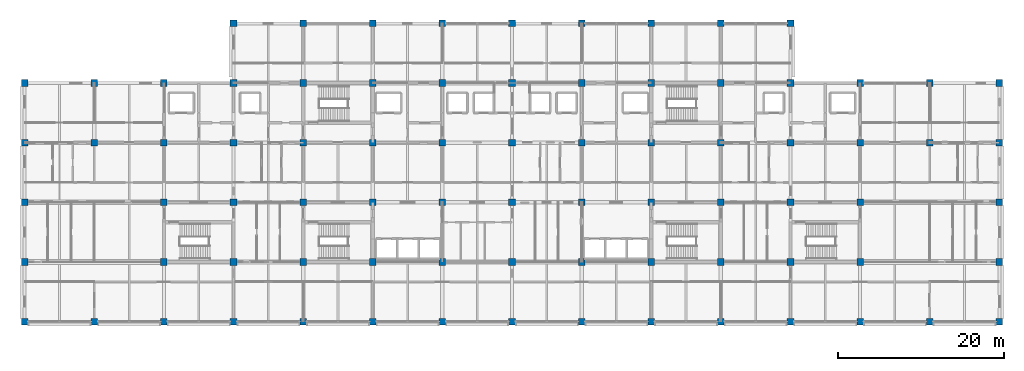
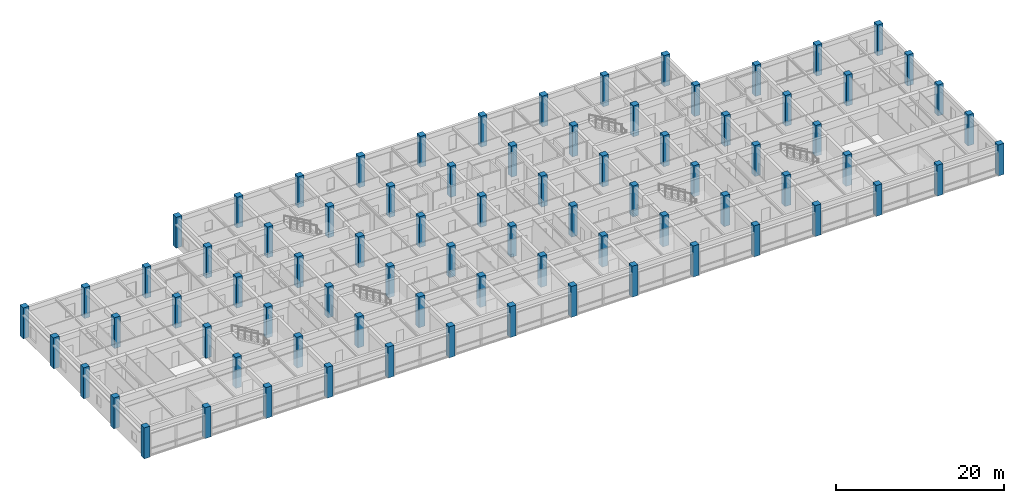
# One storey, part 1 of 30: 80 columns.
"""IFC4 building model written with IfcOpenShell, lengths in metres."""

from ifc_helpers import new_model, si_unit, direction, frame, origin, origin_2d, place, context, subcontext, project, spatial, rectangle, extrude, material, material_profile, profile_set, type_object, element, save


model = new_model("IFC4")

# Units and contexts
model_context = context("Model", 3, precision=1e-05, world=origin(), true_north=direction((0.0, 1.0)))
body_context = subcontext(model_context, "Body", "Model", "MODEL_VIEW")
ifc_project = project(units=[si_unit("LENGTHUNIT", "METRE"), si_unit("AREAUNIT", "SQUARE_METRE"), si_unit("VOLUMEUNIT", "CUBIC_METRE"), si_unit("PLANEANGLEUNIT", "RADIAN"), si_unit("MASSUNIT", "GRAM", prefix="KILO")], contexts=[model_context])

# Site, building, storey
site_placement = place(None, origin())
site = spatial("IfcSite", under=ifc_project, at=site_placement, CompositionType="ELEMENT")
building_placement = place(site_placement, origin())
building = spatial("IfcBuilding", under=site, at=building_placement, Name="Chengyuan Square Courthouse", CompositionType="ELEMENT")
storey_placement = place(building_placement, frame((0.0, 0.0, 26.10009765625)))
storey = spatial("IfcBuildingStorey", under=building, at=storey_placement, Name="L06", CompositionType="ELEMENT", Elevation=26.10009765625)

# Columns
ifc_material = material(Name="Concrete C50", Category="concrete")
ifc_material_profile = material_profile(ifc_material, rectangle(XDim=0.800048828125, YDim=0.800048828125, at=origin_2d()), Name="RC-COL-800x800")
ifc_profile_set = profile_set([ifc_material_profile], Name="Concrete C50")
column_type = type_object("IfcColumnType", Name="CL-04", PredefinedType="COLUMN", material=ifc_profile_set)
for number, where, z_axis, x_axis, name in (
    (1, (25.199951171875, 79.199951171875, 0.0), (0.0, 0.0, 1.0), (1.0, 0.0, 0.0), "Column CL-L06-001"),
    (2, (25.199951171875, 86.39990234375, 0.0), (0.0, 0.0, 1.0), (1.0, 0.0, 0.0), "Column CL-L06-002"),
    (3, (25.199951171875, 93.60009765625, 0.0), (0.0, 0.0, 1.0), (1.0, 0.0, 0.0), "Column CL-L06-003"),
    (4, (25.199951171875, 100.800048828125, 0.0), (0.0, 0.0, 1.0), (1.0, 0.0, 0.0), "Column CL-L06-004"),
    (5, (25.199951171875, 108.0, 0.0), (0.0, 0.0, 1.0), (1.0, 0.0, 0.0), "Column CL-L06-005"),
    (6, (33.60009765625, 79.199951171875, 0.0), (0.0, 0.0, 1.0), (1.0, 0.0, 0.0), "Column CL-L06-006"),
    (7, (33.60009765625, 100.800048828125, 0.0), (0.0, 0.0, 1.0), (1.0, 0.0, 0.0), "Column CL-L06-007"),
    (8, (33.60009765625, 108.0, 0.0), (0.0, 0.0, 1.0), (1.0, 0.0, 0.0), "Column CL-L06-008"),
    (9, (42.0, 79.199951171875, 0.0), (0.0, 0.0, 1.0), (1.0, 0.0, 0.0), "Column CL-L06-009"),
    (10, (42.0, 86.39990234375, 0.0), (0.0, 0.0, 1.0), (1.0, 0.0, 0.0), "Column CL-L06-010"),
    (11, (42.0, 93.60009765625, 0.0), (0.0, 0.0, 1.0), (1.0, 0.0, 0.0), "Column CL-L06-011"),
    (12, (42.0, 100.800048828125, 0.0), (0.0, 0.0, 1.0), (1.0, 0.0, 0.0), "Column CL-L06-012"),
    (13, (42.0, 108.0, 0.0), (0.0, 0.0, 1.0), (1.0, 0.0, 0.0), "Column CL-L06-013"),
    (14, (50.39990234375, 79.199951171875, 0.0), (0.0, 0.0, 1.0), (1.0, 0.0, 0.0), "Column CL-L06-014"),
    (15, (50.39990234375, 86.39990234375, 0.0), (0.0, 0.0, 1.0), (1.0, 0.0, 0.0), "Column CL-L06-015"),
    (16, (50.39990234375, 93.60009765625, 0.0), (0.0, 0.0, 1.0), (1.0, 0.0, 0.0), "Column CL-L06-016"),
    (17, (50.39990234375, 100.800048828125, 0.0), (0.0, 0.0, 1.0), (1.0, 0.0, 0.0), "Column CL-L06-017"),
    (18, (50.39990234375, 108.0, 0.0), (0.0, 0.0, 1.0), (1.0, 0.0, 0.0), "Column CL-L06-018"),
    (19, (50.39990234375, 115.199951171875, 0.0), (0.0, 0.0, 1.0), (1.0, 0.0, 0.0), "Column CL-L06-019"),
    (20, (58.800048828125, 79.199951171875, 0.0), (0.0, 0.0, 1.0), (1.0, 0.0, 0.0), "Column CL-L06-020"),
    (21, (58.800048828125, 86.39990234375, 0.0), (0.0, 0.0, 1.0), (1.0, 0.0, 0.0), "Column CL-L06-021"),
    (22, (58.800048828125, 93.60009765625, 0.0), (0.0, 0.0, 1.0), (1.0, 0.0, 0.0), "Column CL-L06-022"),
    (23, (58.800048828125, 100.800048828125, 0.0), (0.0, 0.0, 1.0), (1.0, 0.0, 0.0), "Column CL-L06-023"),
    (24, (58.800048828125, 108.0, 0.0), (0.0, 0.0, 1.0), (1.0, 0.0, 0.0), "Column CL-L06-024"),
    (25, (58.800048828125, 115.199951171875, 0.0), (0.0, 0.0, 1.0), (1.0, 0.0, 0.0), "Column CL-L06-025"),
    (26, (67.199951171875, 79.199951171875, 0.0), (0.0, 0.0, 1.0), (1.0, 0.0, 0.0), "Column CL-L06-026"),
    (27, (67.199951171875, 86.39990234375, 0.0), (0.0, 0.0, 1.0), (1.0, 0.0, 0.0), "Column CL-L06-027"),
    (28, (67.199951171875, 93.60009765625, 0.0), (0.0, 0.0, 1.0), (1.0, 0.0, 0.0), "Column CL-L06-028"),
    (29, (67.199951171875, 100.800048828125, 0.0), (0.0, 0.0, 1.0), (1.0, 0.0, 0.0), "Column CL-L06-029"),
    (30, (67.199951171875, 108.0, 0.0), (0.0, 0.0, 1.0), (1.0, 0.0, 0.0), "Column CL-L06-030"),
    (31, (67.199951171875, 115.199951171875, 0.0), (0.0, 0.0, 1.0), (1.0, 0.0, 0.0), "Column CL-L06-031"),
    (32, (75.60009765625, 79.199951171875, 0.0), (0.0, 0.0, 1.0), (1.0, 0.0, 0.0), "Column CL-L06-032"),
    (33, (75.60009765625, 86.39990234375, 0.0), (0.0, 0.0, 1.0), (1.0, 0.0, 0.0), "Column CL-L06-033"),
    (34, (75.60009765625, 93.60009765625, 0.0), (0.0, 0.0, 1.0), (1.0, 0.0, 0.0), "Column CL-L06-034"),
    (35, (75.60009765625, 100.800048828125, 0.0), (0.0, 0.0, 1.0), (1.0, 0.0, 0.0), "Column CL-L06-035"),
    (36, (75.60009765625, 108.0, 0.0), (0.0, 0.0, 1.0), (1.0, 0.0, 0.0), "Column CL-L06-036"),
    (37, (75.60009765625, 115.199951171875, 0.0), (0.0, 0.0, 1.0), (1.0, 0.0, 0.0), "Column CL-L06-037"),
    (38, (84.0, 79.199951171875, 0.0), (0.0, 0.0, 1.0), (1.0, 0.0, 0.0), "Column CL-L06-038"),
    (39, (84.0, 86.39990234375, 0.0), (0.0, 0.0, 1.0), (1.0, 0.0, 0.0), "Column CL-L06-039"),
    (40, (84.0, 93.60009765625, 0.0), (0.0, 0.0, 1.0), (1.0, 0.0, 0.0), "Column CL-L06-040"),
    (41, (84.0, 100.800048828125, 0.0), (0.0, 0.0, 1.0), (1.0, 0.0, 0.0), "Column CL-L06-041"),
    (42, (84.0, 108.0, 0.0), (0.0, 0.0, 1.0), (1.0, 0.0, 0.0), "Column CL-L06-042"),
    (43, (84.0, 115.199951171875, 0.0), (0.0, 0.0, 1.0), (1.0, 0.0, 0.0), "Column CL-L06-043"),
    (44, (92.39990234375, 79.199951171875, 0.0), (0.0, 0.0, 1.0), (1.0, 0.0, 0.0), "Column CL-L06-044"),
    (45, (92.39990234375, 86.39990234375, 0.0), (0.0, 0.0, 1.0), (1.0, 0.0, 0.0), "Column CL-L06-045"),
    (46, (92.39990234375, 93.60009765625, 0.0), (0.0, 0.0, 1.0), (1.0, 0.0, 0.0), "Column CL-L06-046"),
    (47, (92.39990234375, 100.800048828125, 0.0), (0.0, 0.0, 1.0), (1.0, 0.0, 0.0), "Column CL-L06-047"),
    (48, (92.39990234375, 108.0, 0.0), (0.0, 0.0, 1.0), (1.0, 0.0, 0.0), "Column CL-L06-048"),
    (49, (92.39990234375, 115.199951171875, 0.0), (0.0, 0.0, 1.0), (1.0, 0.0, 0.0), "Column CL-L06-049"),
    (50, (100.800048828125, 79.199951171875, 0.0), (0.0, 0.0, 1.0), (1.0, 0.0, 0.0), "Column CL-L06-050"),
    (51, (100.800048828125, 86.39990234375, 0.0), (0.0, 0.0, 1.0), (1.0, 0.0, 0.0), "Column CL-L06-051"),
    (52, (100.800048828125, 93.60009765625, 0.0), (0.0, 0.0, 1.0), (1.0, 0.0, 0.0), "Column CL-L06-052"),
    (53, (100.800048828125, 100.800048828125, 0.0), (0.0, 0.0, 1.0), (1.0, 0.0, 0.0), "Column CL-L06-053"),
    (54, (100.800048828125, 108.0, 0.0), (0.0, 0.0, 1.0), (1.0, 0.0, 0.0), "Column CL-L06-054"),
    (55, (100.800048828125, 115.199951171875, 0.0), (0.0, 0.0, 1.0), (1.0, 0.0, 0.0), "Column CL-L06-055"),
    (56, (109.199951171875, 79.199951171875, 0.0), (0.0, 0.0, 1.0), (1.0, 0.0, 0.0), "Column CL-L06-056"),
    (57, (109.199951171875, 86.39990234375, 0.0), (0.0, 0.0, 1.0), (1.0, 0.0, 0.0), "Column CL-L06-057"),
    (58, (109.199951171875, 93.60009765625, 0.0), (0.0, 0.0, 1.0), (1.0, 0.0, 0.0), "Column CL-L06-058"),
    (59, (109.199951171875, 100.800048828125, 0.0), (0.0, 0.0, 1.0), (1.0, 0.0, 0.0), "Column CL-L06-059"),
    (60, (109.199951171875, 108.0, 0.0), (0.0, 0.0, 1.0), (1.0, 0.0, 0.0), "Column CL-L06-060"),
    (61, (109.199951171875, 115.199951171875, 0.0), (0.0, 0.0, 1.0), (1.0, 0.0, 0.0), "Column CL-L06-061"),
    (62, (117.60009765625, 79.199951171875, 0.0), (0.0, 0.0, 1.0), (1.0, 0.0, 0.0), "Column CL-L06-062"),
    (63, (117.60009765625, 86.39990234375, 0.0), (0.0, 0.0, 1.0), (1.0, 0.0, 0.0), "Column CL-L06-063"),
    (64, (117.60009765625, 93.60009765625, 0.0), (0.0, 0.0, 1.0), (1.0, 0.0, 0.0), "Column CL-L06-064"),
    (65, (117.60009765625, 100.800048828125, 0.0), (0.0, 0.0, 1.0), (1.0, 0.0, 0.0), "Column CL-L06-065"),
    (66, (117.60009765625, 108.0, 0.0), (0.0, 0.0, 1.0), (1.0, 0.0, 0.0), "Column CL-L06-066"),
    (67, (117.60009765625, 115.199951171875, 0.0), (0.0, 0.0, 1.0), (1.0, 0.0, 0.0), "Column CL-L06-067"),
    (68, (126.0, 79.199951171875, 0.0), (0.0, 0.0, 1.0), (1.0, 0.0, 0.0), "Column CL-L06-068"),
    (69, (126.0, 86.39990234375, 0.0), (0.0, 0.0, 1.0), (1.0, 0.0, 0.0), "Column CL-L06-069"),
    (70, (126.0, 93.60009765625, 0.0), (0.0, 0.0, 1.0), (1.0, 0.0, 0.0), "Column CL-L06-070"),
    (71, (126.0, 100.800048828125, 0.0), (0.0, 0.0, 1.0), (1.0, 0.0, 0.0), "Column CL-L06-071"),
    (72, (126.0, 108.0, 0.0), (0.0, 0.0, 1.0), (1.0, 0.0, 0.0), "Column CL-L06-072"),
    (73, (134.39990234375, 79.199951171875, 0.0), (0.0, 0.0, 1.0), (1.0, 0.0, 0.0), "Column CL-L06-073"),
    (74, (134.39990234375, 100.800048828125, 0.0), (0.0, 0.0, 1.0), (1.0, 0.0, 0.0), "Column CL-L06-074"),
    (75, (134.39990234375, 108.0, 0.0), (0.0, 0.0, 1.0), (1.0, 0.0, 0.0), "Column CL-L06-075"),
    (76, (142.800048828125, 79.199951171875, 0.0), (0.0, 0.0, 1.0), (1.0, 0.0, 0.0), "Column CL-L06-076"),
    (77, (142.800048828125, 86.39990234375, 0.0), (0.0, 0.0, 1.0), (1.0, 0.0, 0.0), "Column CL-L06-077"),
    (78, (142.800048828125, 93.60009765625, 0.0), (0.0, 0.0, 1.0), (1.0, 0.0, 0.0), "Column CL-L06-078"),
    (79, (142.800048828125, 100.800048828125, 0.0), (0.0, 0.0, 1.0), (1.0, 0.0, 0.0), "Column CL-L06-079"),
    (80, (142.800048828125, 108.0, 0.0), (0.0, 0.0, 1.0), (1.0, 0.0, 0.0), "Column CL-L06-080"),
):
    element("IfcColumn", number, at=place(storey_placement, frame(where, z_axis=z_axis, x_axis=x_axis)), inside=storey, type_object=column_type, Name=name, PredefinedType="COLUMN", context=body_context, shape_type="SweptSolid", body=[
        extrude(rectangle(XDim=0.800048828125, YDim=0.800048828125, at=origin_2d()), origin(), (0.0, 0.0, 1.0), 4.5),
    ])

save(model, "model.ifc")
